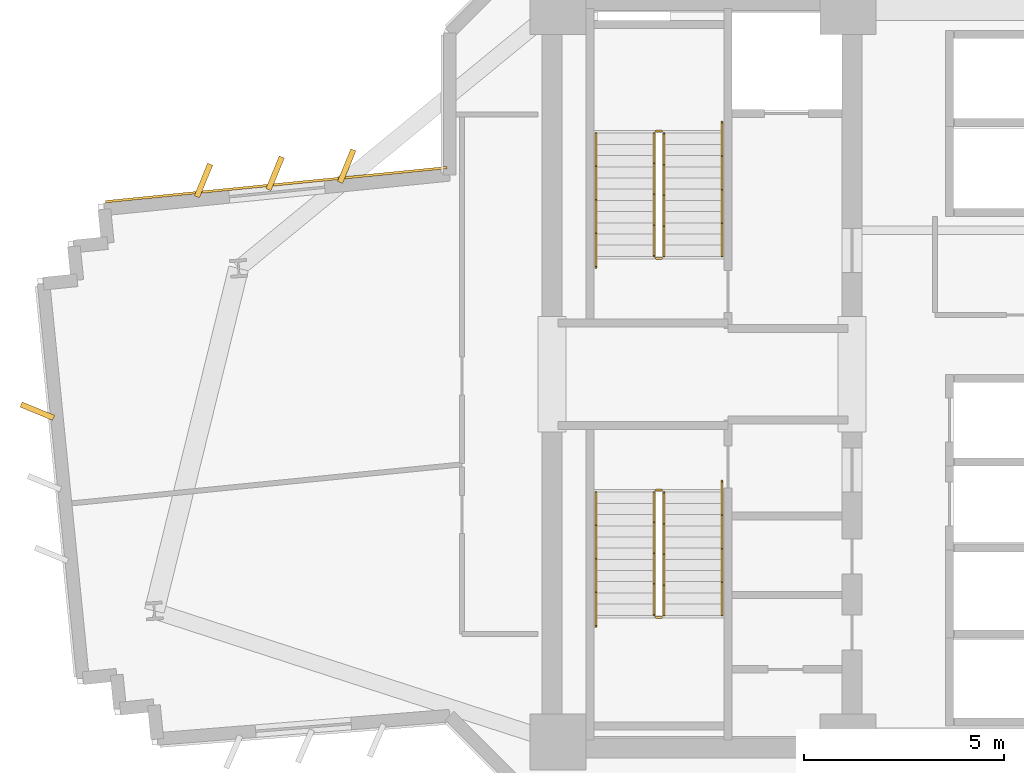
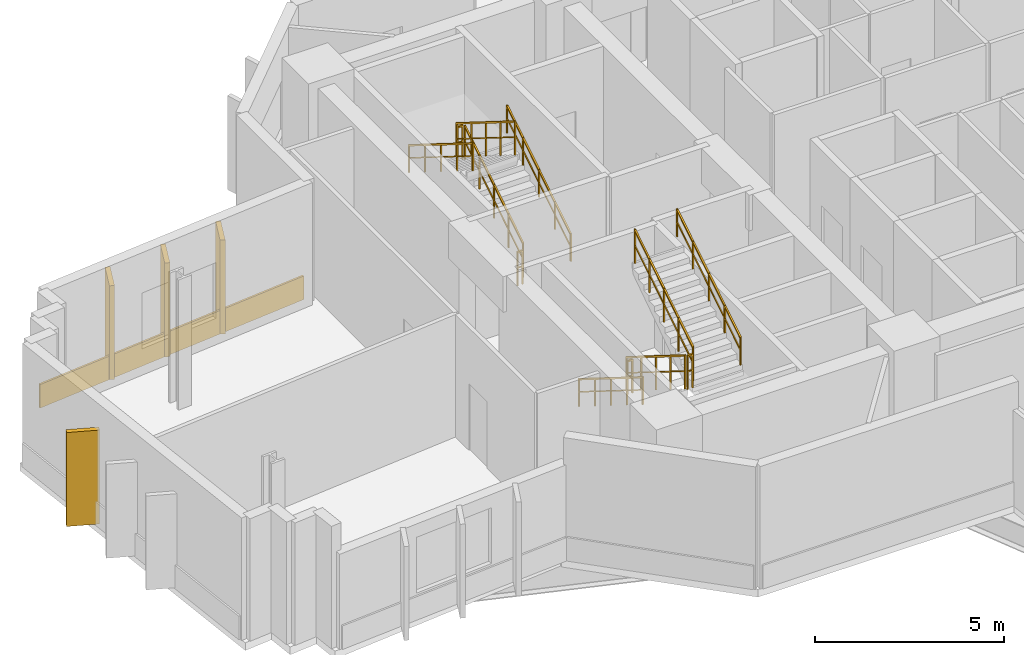
# One storey, part 12 of 14: 12 railings, 5 coverings.
"""IFC4 building model written with IfcOpenShell, lengths in metres."""

from ifc_helpers import new_model, si_unit, direction, frame, origin, origin_2d, place, context, subcontext, project, spatial, rectangle, extrude, source, transform, mapped, material, layer, layer_set, type_object, element, save


model = new_model("IFC4")

# Units and contexts
model_context = context("Model", 3, precision=1e-05, world=origin(), true_north=direction((0.0, 1.0)))
body_context = subcontext(model_context, "Body", "Model", "MODEL_VIEW")
ifc_project = project(units=[si_unit("LENGTHUNIT", "METRE"), si_unit("AREAUNIT", "SQUARE_METRE"), si_unit("VOLUMEUNIT", "CUBIC_METRE"), si_unit("PLANEANGLEUNIT", "RADIAN"), si_unit("MASSUNIT", "GRAM", prefix="KILO")], contexts=[model_context])

# Site, building, storey
site_placement = place(None, origin())
site = spatial("IfcSite", under=ifc_project, at=site_placement, CompositionType="ELEMENT")
building_placement = place(site_placement, origin())
building = spatial("IfcBuilding", under=site, at=building_placement, Name="Zahravan Cultural Tower", CompositionType="ELEMENT")
storey_placement = place(building_placement, frame((0.0, 0.0, 96.300048828125)))
storey = spatial("IfcBuildingStorey", under=building, at=storey_placement, Name="L21", CompositionType="ELEMENT", Elevation=96.300048828125)

# Railings
ifc_material_1 = material(Name="Steel ASTM A572 Grade 50", Category="steel")
railing_type_1 = type_object("IfcRailingType", Name="RL-STAIR-GRD1150", PredefinedType="BALUSTRADE", material=ifc_material_1)
railing_1_placement = place(storey_placement, frame((24.300048828125, 29.949951171875, 0.175048828125)))
element("IfcRailing", 1, at=railing_1_placement, inside=storey, type_object=railing_type_1, Name="L21 ST-W1 stair guard 1", PredefinedType="BALUSTRADE", context=body_context, shape_type="SweptSolid", body=[
    extrude(rectangle(XDim=0.05, YDim=0.05, at=origin_2d()), frame((0.0, 0.0, 1.0751953125), z_axis=(0.0, 0.848028513186, 0.529950602248), x_axis=(-1.0, 0.0, 0.0)), (0.0, 0.0, 1.0), 3.632080078125),
    extrude(rectangle(XDim=0.032, YDim=0.032, at=origin_2d()), frame((0.0, 0.0, 0.572021484375), z_axis=(0.0, 0.848028513186, 0.529950602248), x_axis=(-1.0, 0.0, 0.0)), (0.0, 0.0, 1.0), 3.632080078125),
    extrude(rectangle(XDim=0.04, YDim=0.04, at=origin_2d()), origin(), (0.0, 0.0, 1.0), 1.10009765625),
    extrude(rectangle(XDim=0.04, YDim=0.04, at=origin_2d()), frame((0.0, 0.77001953125, 0.481201171875)), (0.0, 0.0, 1.0), 1.10009765625),
    extrude(rectangle(XDim=0.04, YDim=0.04, at=origin_2d()), frame((0.0, 1.5400390625, 0.96240234375)), (0.0, 0.0, 1.0), 1.10009765625),
    extrude(rectangle(XDim=0.04, YDim=0.04, at=origin_2d()), frame((0.0, 2.31005859375, 1.443603515625)), (0.0, 0.0, 1.0), 1.10009765625),
    extrude(rectangle(XDim=0.04, YDim=0.04, at=origin_2d()), frame((0.0, 3.080078125, 1.9248046875)), (0.0, 0.0, 1.0), 1.10009765625),
])
railing_2_placement = place(storey_placement, frame((24.25, 33.080078125, 2.099853515625)))
element("IfcRailing", 2, at=railing_2_placement, inside=storey, type_object=railing_type_1, Name="L21 ST-W1 stair guard 2", PredefinedType="BALUSTRADE", context=body_context, shape_type="SweptSolid", body=[
    extrude(rectangle(XDim=0.05, YDim=0.05, at=origin_2d()), frame((0.0, 0.0, 1.0751953125), z_axis=(-1.0, 0.0, 0.0), x_axis=(0.0, -1.0, 0.0)), (0.0, 0.0, 1.0), 0.14990234375),
    extrude(rectangle(XDim=0.032, YDim=0.032, at=origin_2d()), frame((0.0, 0.0, 0.572021484375), z_axis=(-1.0, 0.0, 0.0), x_axis=(0.0, -1.0, 0.0)), (0.0, 0.0, 1.0), 0.14990234375),
    extrude(rectangle(XDim=0.04, YDim=0.04, at=origin_2d()), origin(), (0.0, 0.0, 1.0), 1.10009765625),
    extrude(rectangle(XDim=0.04, YDim=0.04, at=origin_2d()), frame((-0.14990234375, 0.0, 0.0)), (0.0, 0.0, 1.0), 1.10009765625),
])
railing_3_placement = place(storey_placement, frame((24.050048828125, 33.030029296875, 2.27490234375)))
element("IfcRailing", 3, at=railing_3_placement, inside=storey, type_object=railing_type_1, Name="L21 ST-W1 stair guard 3", PredefinedType="BALUSTRADE", context=body_context, shape_type="SweptSolid", body=[
    extrude(rectangle(XDim=0.05, YDim=0.05, at=origin_2d()), frame((0.0, 0.0, 1.0751953125), z_axis=(0.0, -0.847998304005, 0.529998940003), x_axis=(1.0, 0.0, 0.0)), (0.0, 0.0, 1.0), 3.632080078125),
    extrude(rectangle(XDim=0.032, YDim=0.032, at=origin_2d()), frame((0.0, 0.0, 0.572021484375), z_axis=(0.0, -0.847998304005, 0.529998940003), x_axis=(1.0, 0.0, 0.0)), (0.0, 0.0, 1.0), 3.632080078125),
    extrude(rectangle(XDim=0.04, YDim=0.04, at=origin_2d()), origin(), (0.0, 0.0, 1.0), 1.10009765625),
    extrude(rectangle(XDim=0.04, YDim=0.04, at=origin_2d()), frame((0.0, -0.77001953125, 0.481201171875)), (0.0, 0.0, 1.0), 1.10009765625),
    extrude(rectangle(XDim=0.04, YDim=0.04, at=origin_2d()), frame((0.0, -1.5400390625, 0.96240234375)), (0.0, 0.0, 1.0), 1.10009765625),
    extrude(rectangle(XDim=0.04, YDim=0.04, at=origin_2d()), frame((0.0, -2.31005859375, 1.44384765625)), (0.0, 0.0, 1.0), 1.10009765625),
    extrude(rectangle(XDim=0.04, YDim=0.04, at=origin_2d()), frame((0.0, -3.080078125, 1.925048828125)), (0.0, 0.0, 1.0), 1.10009765625),
])
railing_4_placement = place(storey_placement, frame((24.25, 29.89990234375, 0.0)))
element("IfcRailing", 4, at=railing_4_placement, inside=storey, type_object=railing_type_1, Name="L21 ST-W1 stair guard 4", PredefinedType="BALUSTRADE", context=body_context, shape_type="SweptSolid", body=[
    extrude(rectangle(XDim=0.05, YDim=0.05, at=origin_2d()), frame((0.0, 0.0, 1.0751953125), z_axis=(-1.0, 0.0, 0.0), x_axis=(0.0, -1.0, 0.0)), (0.0, 0.0, 1.0), 0.14990234375),
    extrude(rectangle(XDim=0.032, YDim=0.032, at=origin_2d()), frame((0.0, 0.0, 0.572021484375), z_axis=(-1.0, 0.0, 0.0), x_axis=(0.0, -1.0, 0.0)), (0.0, 0.0, 1.0), 0.14990234375),
    extrude(rectangle(XDim=0.04, YDim=0.04, at=origin_2d()), origin(), (0.0, 0.0, 1.0), 1.10009765625),
    extrude(rectangle(XDim=0.04, YDim=0.04, at=origin_2d()), frame((-0.14990234375, 0.0, 0.0)), (0.0, 0.0, 1.0), 1.10009765625),
])
railing_5_placement = place(storey_placement, frame((24.050048828125, 24.050048828125, 0.175048828125)))
element("IfcRailing", 5, at=railing_5_placement, inside=storey, type_object=railing_type_1, Name="L21 ST-W2 stair guard 1", PredefinedType="BALUSTRADE", context=body_context, shape_type="SweptSolid", body=[
    extrude(rectangle(XDim=0.05, YDim=0.05, at=origin_2d()), frame((0.0, 0.0, 1.0751953125), z_axis=(0.0, -0.848028513186, 0.529950602248), x_axis=(1.0, 0.0, 0.0)), (0.0, 0.0, 1.0), 3.632080078125),
    extrude(rectangle(XDim=0.032, YDim=0.032, at=origin_2d()), frame((0.0, 0.0, 0.572021484375), z_axis=(0.0, -0.848028513186, 0.529950602248), x_axis=(1.0, 0.0, 0.0)), (0.0, 0.0, 1.0), 3.632080078125),
    extrude(rectangle(XDim=0.04, YDim=0.04, at=origin_2d()), origin(), (0.0, 0.0, 1.0), 1.10009765625),
    extrude(rectangle(XDim=0.04, YDim=0.04, at=origin_2d()), frame((0.0, -0.77001953125, 0.481201171875)), (0.0, 0.0, 1.0), 1.10009765625),
    extrude(rectangle(XDim=0.04, YDim=0.04, at=origin_2d()), frame((0.0, -1.5400390625, 0.96240234375)), (0.0, 0.0, 1.0), 1.10009765625),
    extrude(rectangle(XDim=0.04, YDim=0.04, at=origin_2d()), frame((0.0, -2.31005859375, 1.443603515625)), (0.0, 0.0, 1.0), 1.10009765625),
    extrude(rectangle(XDim=0.04, YDim=0.04, at=origin_2d()), frame((0.0, -3.080078125, 1.9248046875)), (0.0, 0.0, 1.0), 1.10009765625),
])
railing_6_placement = place(storey_placement, frame((24.10009765625, 20.919921875, 2.099853515625)))
element("IfcRailing", 6, at=railing_6_placement, inside=storey, type_object=railing_type_1, Name="L21 ST-W2 stair guard 2", PredefinedType="BALUSTRADE", context=body_context, shape_type="SweptSolid", body=[
    extrude(rectangle(XDim=0.05, YDim=0.05, at=origin_2d()), frame((0.0, 0.0, 1.0751953125), z_axis=(1.0, 0.0, 0.0), x_axis=(0.0, 1.0, 0.0)), (0.0, 0.0, 1.0), 0.14990234375),
    extrude(rectangle(XDim=0.032, YDim=0.032, at=origin_2d()), frame((0.0, 0.0, 0.572021484375), z_axis=(1.0, 0.0, 0.0), x_axis=(0.0, 1.0, 0.0)), (0.0, 0.0, 1.0), 0.14990234375),
    extrude(rectangle(XDim=0.04, YDim=0.04, at=origin_2d()), origin(), (0.0, 0.0, 1.0), 1.10009765625),
    extrude(rectangle(XDim=0.04, YDim=0.04, at=origin_2d()), frame((0.14990234375, 0.0, 0.0)), (0.0, 0.0, 1.0), 1.10009765625),
])
railing_7_placement = place(storey_placement, frame((24.300048828125, 20.969970703125, 2.27490234375)))
element("IfcRailing", 7, at=railing_7_placement, inside=storey, type_object=railing_type_1, Name="L21 ST-W2 stair guard 3", PredefinedType="BALUSTRADE", context=body_context, shape_type="SweptSolid", body=[
    extrude(rectangle(XDim=0.05, YDim=0.05, at=origin_2d()), frame((0.0, 0.0, 1.0751953125), z_axis=(0.0, 0.847998304005, 0.529998940003), x_axis=(-1.0, 0.0, 0.0)), (0.0, 0.0, 1.0), 3.632080078125),
    extrude(rectangle(XDim=0.032, YDim=0.032, at=origin_2d()), frame((0.0, 0.0, 0.572021484375), z_axis=(0.0, 0.847998304005, 0.529998940003), x_axis=(-1.0, 0.0, 0.0)), (0.0, 0.0, 1.0), 3.632080078125),
    extrude(rectangle(XDim=0.04, YDim=0.04, at=origin_2d()), origin(), (0.0, 0.0, 1.0), 1.10009765625),
    extrude(rectangle(XDim=0.04, YDim=0.04, at=origin_2d()), frame((0.0, 0.77001953125, 0.481201171875)), (0.0, 0.0, 1.0), 1.10009765625),
    extrude(rectangle(XDim=0.04, YDim=0.04, at=origin_2d()), frame((0.0, 1.5400390625, 0.96240234375)), (0.0, 0.0, 1.0), 1.10009765625),
    extrude(rectangle(XDim=0.04, YDim=0.04, at=origin_2d()), frame((0.0, 2.31005859375, 1.44384765625)), (0.0, 0.0, 1.0), 1.10009765625),
    extrude(rectangle(XDim=0.04, YDim=0.04, at=origin_2d()), frame((0.0, 3.080078125, 1.925048828125)), (0.0, 0.0, 1.0), 1.10009765625),
])
railing_8_placement = place(storey_placement, frame((24.10009765625, 24.10009765625, 0.0)))
element("IfcRailing", 8, at=railing_8_placement, inside=storey, type_object=railing_type_1, Name="L21 ST-W2 stair guard 4", PredefinedType="BALUSTRADE", context=body_context, shape_type="SweptSolid", body=[
    extrude(rectangle(XDim=0.05, YDim=0.05, at=origin_2d()), frame((0.0, 0.0, 1.0751953125), z_axis=(1.0, 0.0, 0.0), x_axis=(0.0, 1.0, 0.0)), (0.0, 0.0, 1.0), 0.14990234375),
    extrude(rectangle(XDim=0.032, YDim=0.032, at=origin_2d()), frame((0.0, 0.0, 0.572021484375), z_axis=(1.0, 0.0, 0.0), x_axis=(0.0, 1.0, 0.0)), (0.0, 0.0, 1.0), 0.14990234375),
    extrude(rectangle(XDim=0.04, YDim=0.04, at=origin_2d()), origin(), (0.0, 0.0, 1.0), 1.10009765625),
    extrude(rectangle(XDim=0.04, YDim=0.04, at=origin_2d()), frame((0.14990234375, 0.0, 0.0)), (0.0, 0.0, 1.0), 1.10009765625),
])
railing_type_2 = type_object("IfcRailingType", Name="RL-STAIR-HR900", PredefinedType="HANDRAIL", material=ifc_material_1)
railing_9_placement = place(storey_placement, frame((25.75, 29.949951171875, 0.175048828125)))
element("IfcRailing", 9, at=railing_9_placement, inside=storey, type_object=railing_type_2, Name="L21 ST-W1 stair handrail 1", PredefinedType="HANDRAIL", context=body_context, shape_type="SweptSolid", body=[
    extrude(rectangle(XDim=0.05, YDim=0.05, at=origin_2d()), frame((0.0, 0.0, 0.875), z_axis=(0.0, 0.848022534174, 0.529960169762), x_axis=(-1.0, 0.0, 0.0)), (0.0, 0.0, 1.0), 3.96240234375),
    extrude(rectangle(XDim=0.032, YDim=0.032, at=origin_2d()), frame((0.0, 0.0, 0.468017578125), z_axis=(0.0, 0.848022534174, 0.529960169762), x_axis=(-1.0, 0.0, 0.0)), (0.0, 0.0, 1.0), 3.96240234375),
    extrude(rectangle(XDim=0.04, YDim=0.04, at=origin_2d()), origin(), (0.0, 0.0, 1.0), 0.89990234375),
    extrude(rectangle(XDim=0.04, YDim=0.04, at=origin_2d()), frame((0.0, 0.840087890625, 0.52490234375)), (0.0, 0.0, 1.0), 0.89990234375),
    extrude(rectangle(XDim=0.04, YDim=0.04, at=origin_2d()), frame((0.0, 1.68017578125, 1.0498046875)), (0.0, 0.0, 1.0), 0.89990234375),
    extrude(rectangle(XDim=0.04, YDim=0.04, at=origin_2d()), frame((0.0, 2.52001953125, 1.574951171875)), (0.0, 0.0, 1.0), 0.89990234375),
    extrude(rectangle(XDim=0.04, YDim=0.04, at=origin_2d()), frame((0.0, 3.360107421875, 2.099853515625)), (0.0, 0.0, 1.0), 0.89990234375),
])
railing_10_placement = place(storey_placement, frame((22.60009765625, 33.030029296875, 2.27490234375)))
element("IfcRailing", 10, at=railing_10_placement, inside=storey, type_object=railing_type_2, Name="L21 ST-W1 stair handrail 2", PredefinedType="HANDRAIL", context=body_context, shape_type="SweptSolid", body=[
    extrude(rectangle(XDim=0.05, YDim=0.05, at=origin_2d()), frame((0.0, 0.0, 0.875), z_axis=(0.0, -0.847994842521, 0.530004478338), x_axis=(1.0, 0.0, 0.0)), (0.0, 0.0, 1.0), 3.96240234375),
    extrude(rectangle(XDim=0.032, YDim=0.032, at=origin_2d()), frame((0.0, 0.0, 0.468017578125), z_axis=(0.0, -0.847994842521, 0.530004478338), x_axis=(1.0, 0.0, 0.0)), (0.0, 0.0, 1.0), 3.96240234375),
    extrude(rectangle(XDim=0.04, YDim=0.04, at=origin_2d()), origin(), (0.0, 0.0, 1.0), 0.89990234375),
    extrude(rectangle(XDim=0.04, YDim=0.04, at=origin_2d()), frame((0.0, -0.840087890625, 0.52490234375)), (0.0, 0.0, 1.0), 0.89990234375),
    extrude(rectangle(XDim=0.04, YDim=0.04, at=origin_2d()), frame((0.0, -1.68017578125, 1.050048828125)), (0.0, 0.0, 1.0), 0.89990234375),
    extrude(rectangle(XDim=0.04, YDim=0.04, at=origin_2d()), frame((0.0, -2.52001953125, 1.5751953125)), (0.0, 0.0, 1.0), 0.89990234375),
    extrude(rectangle(XDim=0.04, YDim=0.04, at=origin_2d()), frame((0.0, -3.360107421875, 2.10009765625)), (0.0, 0.0, 1.0), 0.89990234375),
])
railing_11_placement = place(storey_placement, frame((22.60009765625, 24.050048828125, 0.175048828125)))
element("IfcRailing", 11, at=railing_11_placement, inside=storey, type_object=railing_type_2, Name="L21 ST-W2 stair handrail 1", PredefinedType="HANDRAIL", context=body_context, shape_type="SweptSolid", body=[
    extrude(rectangle(XDim=0.05, YDim=0.05, at=origin_2d()), frame((0.0, 0.0, 0.875), z_axis=(0.0, -0.848022534174, 0.529960169762), x_axis=(1.0, 0.0, 0.0)), (0.0, 0.0, 1.0), 3.96240234375),
    extrude(rectangle(XDim=0.032, YDim=0.032, at=origin_2d()), frame((0.0, 0.0, 0.468017578125), z_axis=(0.0, -0.848022534174, 0.529960169762), x_axis=(1.0, 0.0, 0.0)), (0.0, 0.0, 1.0), 3.96240234375),
    extrude(rectangle(XDim=0.04, YDim=0.04, at=origin_2d()), origin(), (0.0, 0.0, 1.0), 0.89990234375),
    extrude(rectangle(XDim=0.04, YDim=0.04, at=origin_2d()), frame((0.0, -0.840087890625, 0.52490234375)), (0.0, 0.0, 1.0), 0.89990234375),
    extrude(rectangle(XDim=0.04, YDim=0.04, at=origin_2d()), frame((0.0, -1.68017578125, 1.0498046875)), (0.0, 0.0, 1.0), 0.89990234375),
    extrude(rectangle(XDim=0.04, YDim=0.04, at=origin_2d()), frame((0.0, -2.52001953125, 1.574951171875)), (0.0, 0.0, 1.0), 0.89990234375),
    extrude(rectangle(XDim=0.04, YDim=0.04, at=origin_2d()), frame((0.0, -3.360107421875, 2.099853515625)), (0.0, 0.0, 1.0), 0.89990234375),
])
railing_12_placement = place(storey_placement, frame((25.75, 20.969970703125, 2.27490234375)))
element("IfcRailing", 12, at=railing_12_placement, inside=storey, type_object=railing_type_2, Name="L21 ST-W2 stair handrail 2", PredefinedType="HANDRAIL", context=body_context, shape_type="SweptSolid", body=[
    extrude(rectangle(XDim=0.05, YDim=0.05, at=origin_2d()), frame((0.0, 0.0, 0.875), z_axis=(0.0, 0.847994842521, 0.530004478338), x_axis=(-1.0, 0.0, 0.0)), (0.0, 0.0, 1.0), 3.96240234375),
    extrude(rectangle(XDim=0.032, YDim=0.032, at=origin_2d()), frame((0.0, 0.0, 0.468017578125), z_axis=(0.0, 0.847994842521, 0.530004478338), x_axis=(-1.0, 0.0, 0.0)), (0.0, 0.0, 1.0), 3.96240234375),
    extrude(rectangle(XDim=0.04, YDim=0.04, at=origin_2d()), origin(), (0.0, 0.0, 1.0), 0.89990234375),
    extrude(rectangle(XDim=0.04, YDim=0.04, at=origin_2d()), frame((0.0, 0.840087890625, 0.52490234375)), (0.0, 0.0, 1.0), 0.89990234375),
    extrude(rectangle(XDim=0.04, YDim=0.04, at=origin_2d()), frame((0.0, 1.68017578125, 1.050048828125)), (0.0, 0.0, 1.0), 0.89990234375),
    extrude(rectangle(XDim=0.04, YDim=0.04, at=origin_2d()), frame((0.0, 2.52001953125, 1.5751953125)), (0.0, 0.0, 1.0), 0.89990234375),
    extrude(rectangle(XDim=0.04, YDim=0.04, at=origin_2d()), frame((0.0, 3.360107421875, 2.10009765625)), (0.0, 0.0, 1.0), 0.89990234375),
])

# Coverings
ifc_material_2 = material(Name="Terracotta ceramic cladding", Category="masonry")
ifc_layer = layer(ifc_material_2, 0.06005859375)
ifc_layer_set = layer_set([ifc_layer], Name="Terracotta ceramic cladding")
covering_type = type_object("IfcCoveringType", Name="COV-CLAD-TC60", PredefinedType="CLADDING", material=ifc_layer_set)
shared_shape_1 = source(origin(), body_context, "Body", "SweptSolid", [
    extrude(rectangle(XDim=0.8798828125, YDim=0.139892578125, at=origin_2d()), origin(), (0.0, 0.0, 1.0), 3.030029296875),
])
for number, where, z_axis, x_axis, name in (
    (13, (8.62646484375, 26.07666015625, 0.0498046875), (0.0, 0.0, 1.0), (-0.925209718386, 0.379456159529, 0.0), "L21 Herringbone Terracotta Fin 06"),
    (14, (12.78369140625, 31.84814453125, 0.0498046875), (0.0, 0.0, 1.0), (0.379456159529, 0.925209718386, 0.0), "L21 Herringbone Terracotta Fin 07"),
    (15, (14.57470703125, 32.02685546875, 0.0498046875), (0.0, 0.0, 1.0), (0.379456159529, 0.925209718386, 0.0), "L21 Herringbone Terracotta Fin 08"),
    (16, (16.365966796875, 32.205810546875, 0.0498046875), (0.0, 0.0, 1.0), (0.379456159529, 0.925209718386, 0.0), "L21 Herringbone Terracotta Fin 09"),
):
    element("IfcCovering", number, at=place(storey_placement, frame(where, z_axis=z_axis, x_axis=x_axis)), inside=storey, type_object=covering_type, Name=name, PredefinedType="CLADDING", context=body_context, shape_type="MappedRepresentation", body=[
        mapped(shared_shape_1, transform((0.0, 0.0, 0.0), x_axis=(1.0, 0.0, 0.0), y_axis=(0.0, 1.0, 0.0), z_axis=(0.0, 0.0, 1.0), scale=1.0)),
    ])
shared_shape_2 = source(origin(), body_context, "Body", "SweptSolid", [
    extrude(rectangle(XDim=8.580078125, YDim=0.06005859375, at=origin_2d()), origin(), (0.0, 0.0, 1.0), 0.760009765625),
])
covering_placement = place(storey_placement, frame((14.60302734375, 31.743408203125, 0.02001953125), z_axis=(0.0, 0.0, 1.0), x_axis=(0.995055569961, 0.099319749744, 0.0)))
element("IfcCovering", 17, at=covering_placement, inside=storey, type_object=covering_type, Name="L21 Terracotta Spandrel Cladding 11", PredefinedType="CLADDING", context=body_context, shape_type="MappedRepresentation", body=[
    mapped(shared_shape_2, transform((0.0, 0.0, 0.0), x_axis=(1.0, 0.0, 0.0), y_axis=(0.0, 1.0, 0.0), z_axis=(0.0, 0.0, 1.0), scale=1.0)),
])

save(model, "model.ifc")
